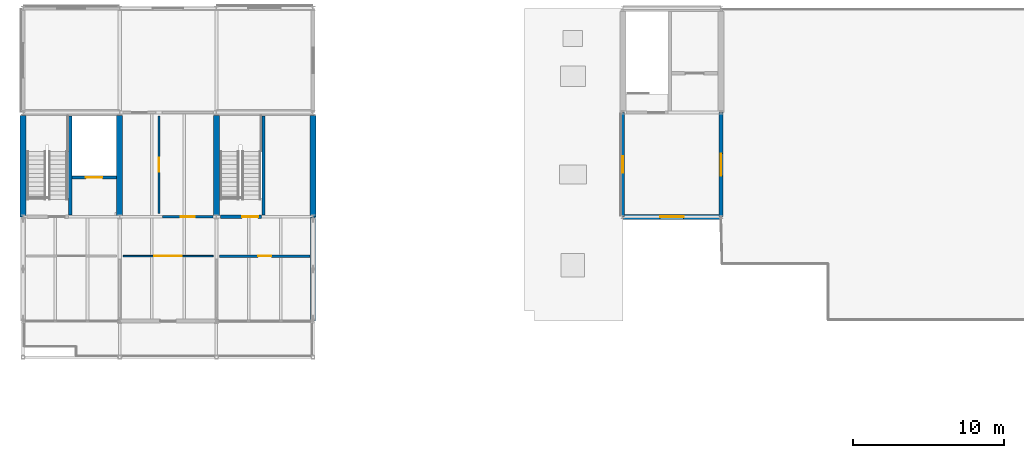
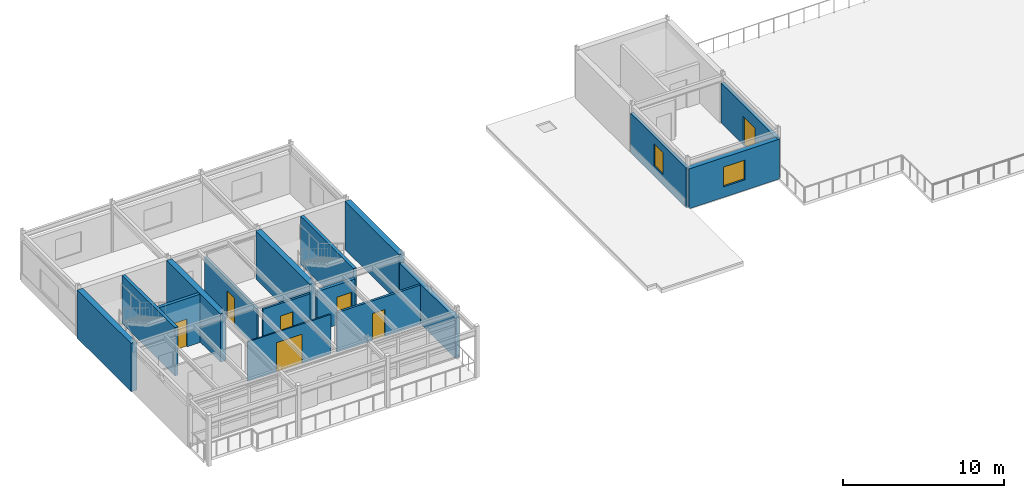
# One storey, part 19 of 26: 16 walls, 7 doors, 2 windows, 9 openings.
"""IFC4 building model written with IfcOpenShell, lengths in metres."""

from ifc_helpers import new_model, si_unit, direction, frame, frame_2d, origin, place, context, subcontext, project, spatial, rectangle, extrude, material, layer, layer_set, type_object, element, fill, save


model = new_model("IFC4")

# Units and contexts
model_context = context("Model", 3, precision=1e-05, world=origin(), true_north=direction((0.0, 1.0)))
body_context = subcontext(model_context, "Body", "Model", "MODEL_VIEW")
ifc_project = project(units=[si_unit("LENGTHUNIT", "METRE"), si_unit("AREAUNIT", "SQUARE_METRE"), si_unit("VOLUMEUNIT", "CUBIC_METRE"), si_unit("PLANEANGLEUNIT", "RADIAN"), si_unit("MASSUNIT", "GRAM", prefix="KILO")], contexts=[model_context])

# Site, building, storey
site_placement = place(None, origin())
site = spatial("IfcSite", under=ifc_project, at=site_placement, CompositionType="ELEMENT")
building_placement = place(site_placement, origin())
building = spatial("IfcBuilding", under=site, at=building_placement, Name="Trelmorton Wharf Fire Station", CompositionType="ELEMENT")
storey_placement = place(building_placement, frame((0.0, 0.0, 17.39990234375)))
storey = spatial("IfcBuildingStorey", under=building, at=storey_placement, Name="L04", CompositionType="ELEMENT", Elevation=17.39990234375)

# Wall, opening, window
ifc_material_1 = material(Name="Precast concrete 45 MPa", Category="concrete")
ifc_layer_1 = layer(ifc_material_1, 0.22998046875)
ifc_layer_set_1 = layer_set([ifc_layer_1], Name="Precast concrete 45 MPa")
wall_type_1 = type_object("IfcWallType", Name="EW_PREC_230", PredefinedType="SOLIDWALL", material=ifc_layer_set_1)
wall_1_placement = place(storey_placement, frame((110.5, 67.205078125, 0.0), z_axis=(0.0, 0.0, 1.0), x_axis=(0.0, 1.0, 0.0)))
wall_1 = element("IfcWall", 1, at=wall_1_placement, inside=storey, type_object=wall_type_1, Name="EW-V4-L04-0246", PredefinedType="SOLIDWALL", context=body_context, shape_type="SweptSolid", body=[
    extrude(rectangle(XDim=6.889892578125, YDim=0.22998046875, at=frame_2d((3.44482421875, 0.0))), origin(), (0.0, 0.0, 1.0), 3.02001953125),
])
opening_1_placement = place(wall_1_placement, frame((2.89501953125, 0.0, 0.800048828125)))
opening_1 = element("IfcOpeningElement", 2, at=opening_1_placement, cuts=wall_1, Name="Opening W37", PredefinedType="OPENING", context=body_context, shape_type="SweptSolid", body=[
    extrude(rectangle(XDim=1.10009765625, YDim=1.64990234375, at=frame_2d((0.550048828125, 0.824951171875))), frame((0.0, 0.125, 0.0), z_axis=(0.0, -1.0, 0.0), x_axis=(1.0, 0.0, 0.0)), (0.0, 0.0, 1.0), 0.25),
])
ifc_material_2 = material(Name="Tempered low-E double glazing", Category="glass")
window_type_1 = type_object("IfcWindowType", Name="WIN_W37", PartitioningType="SINGLE_PANEL", PredefinedType="WINDOW", material=ifc_material_2)
window_1_placement = place(opening_1_placement, origin())
window_1 = element("IfcWindow", 3, at=window_1_placement, inside=storey, type_object=window_type_1, Name="WN-V4-L04-0144", OverallHeight=1.64990234375, OverallWidth=1.10009765625, PartitioningType="SINGLE_PANEL", PredefinedType="WINDOW", context=body_context, shape_type="SweptSolid", body=[
    extrude(rectangle(XDim=1.10009765625, YDim=1.64990234375, at=frame_2d((0.550048828125, 0.824951171875))), frame((0.0, 0.030029296875, 0.0), z_axis=(0.0, -1.0, 0.0), x_axis=(1.0, 0.0, 0.0)), (0.0, 0.0, 1.0), 0.06005859375),
])
fill(opening_1, window_1)

# Wall, opening, door
ifc_layer_2 = layer(ifc_material_1, 0.25)
ifc_layer_set_2 = layer_set([ifc_layer_2], Name="Precast concrete 45 MPa")
wall_type_2 = type_object("IfcWallType", Name="EW_PREC_250", PredefinedType="SOLIDWALL", material=ifc_layer_set_2)
wall_2_placement = place(storey_placement, frame((117.0, 74.094970703125, 0.0), z_axis=(0.0, 0.0, 1.0), x_axis=(0.0, -1.0, 0.0)))
wall_2 = element("IfcWall", 4, at=wall_2_placement, inside=storey, type_object=wall_type_2, Name="EW-V4-L04-0247", PredefinedType="SOLIDWALL", context=body_context, shape_type="SweptSolid", body=[
    extrude(rectangle(XDim=6.889892578125, YDim=0.25, at=frame_2d((3.44482421875, 0.0))), origin(), (0.0, 0.0, 1.0), 3.02001953125),
])
opening_2_placement = place(wall_2_placement, frame((2.705078125, 0.0, 0.0)))
opening_2 = element("IfcOpeningElement", 5, at=opening_2_placement, cuts=wall_2, Name="Opening TD-036", PredefinedType="OPENING", context=body_context, shape_type="SweptSolid", body=[
    extrude(rectangle(XDim=1.47998046875, YDim=2.159912109375, at=frame_2d((0.739990234375, 1.080078125))), frame((0.0, 0.135009765625, 0.0), z_axis=(0.0, -1.0, 0.0), x_axis=(1.0, 0.0, 0.0)), (0.0, 0.0, 1.0), 0.27001953125),
])
ifc_material_3 = material(Name="Anodised aluminium AW-6063", Category="aluminium")
door_type_1 = type_object("IfcDoorType", Name="DR_TER_DBL_148", OperationType="DOUBLE_DOOR_SINGLE_SWING", PredefinedType="DOOR", material=ifc_material_3)
door_1_placement = place(opening_2_placement, origin())
door_1 = element("IfcDoor", 6, at=door_1_placement, inside=storey, type_object=door_type_1, Name="Terrace Door TD-036", OperationType="DOUBLE_DOOR_SINGLE_SWING", OverallHeight=2.159912109375, OverallWidth=1.47998046875, PredefinedType="DOOR", context=body_context, shape_type="SweptSolid", body=[
    extrude(rectangle(XDim=1.47998046875, YDim=2.159912109375, at=frame_2d((0.739990234375, 1.080078125))), frame((0.0, 0.02490234375, 0.0), z_axis=(0.0, -1.0, 0.0), x_axis=(1.0, 0.0, 0.0)), (0.0, 0.0, 1.0), 0.050048828125),
])
fill(opening_2, door_1)

# Wall
ifc_layer_3 = layer(ifc_material_1, 0.330078125)
ifc_layer_set_3 = layer_set([ifc_layer_3], Name="Precast concrete 45 MPa")
wall_type_3 = type_object("IfcWallType", Name="EW_TERR_330", PredefinedType="SOLIDWALL", material=ifc_layer_set_3)
wall_3_placement = place(storey_placement, frame((90.0, 67.195068359375, 0.0), z_axis=(0.0, 0.0, 1.0), x_axis=(0.0, -1.0, 0.0)))
element("IfcWall", 7, at=wall_3_placement, inside=storey, type_object=wall_type_3, Name="EW-V2-L04-0191", PredefinedType="SOLIDWALL", context=body_context, shape_type="SweptSolid", body=[
    extrude(rectangle(XDim=6.89013671875, YDim=0.330078125, at=frame_2d((3.445068359375, 0.0))), origin(), (0.0, 0.0, 1.0), 3.02001953125),
])

# Wall, opening, window
wall_4_placement = place(storey_placement, frame((116.9951171875, 67.199951171875, 0.0), z_axis=(0.0, 0.0, 1.0), x_axis=(-1.0, 0.0, 0.0)))
wall_4 = element("IfcWall", 8, at=wall_4_placement, inside=storey, type_object=wall_type_3, Name="EW-V4-L04-0245", PredefinedType="SOLIDWALL", context=body_context, shape_type="SweptSolid", body=[
    extrude(rectangle(XDim=6.490234375, YDim=0.330078125, at=frame_2d((3.2451171875, 0.0))), origin(), (0.0, 0.0, 1.0), 3.02001953125),
])
opening_3_placement = place(wall_4_placement, frame((2.469970703125, 0.0, 0.800048828125)))
opening_3 = element("IfcOpeningElement", 9, at=opening_3_placement, cuts=wall_4, Name="Opening W36", PredefinedType="OPENING", context=body_context, shape_type="SweptSolid", body=[
    extrude(rectangle(XDim=1.550048828125, YDim=1.5, at=frame_2d((0.77490234375, 0.75))), frame((0.0, 0.175048828125, 0.0), z_axis=(0.0, -1.0, 0.0), x_axis=(1.0, 0.0, 0.0)), (0.0, 0.0, 1.0), 0.35009765625),
])
window_type_2 = type_object("IfcWindowType", Name="WIN_W36", PartitioningType="SINGLE_PANEL", PredefinedType="WINDOW", material=ifc_material_2)
window_2_placement = place(opening_3_placement, origin())
window_2 = element("IfcWindow", 10, at=window_2_placement, inside=storey, type_object=window_type_2, Name="WN-V4-L04-0143", OverallHeight=1.5, OverallWidth=1.550048828125, PartitioningType="SINGLE_PANEL", PredefinedType="WINDOW", context=body_context, shape_type="SweptSolid", body=[
    extrude(rectangle(XDim=1.550048828125, YDim=1.5, at=frame_2d((0.77490234375, 0.75))), frame((0.0, 0.030029296875, 0.0), z_axis=(0.0, -1.0, 0.0), x_axis=(1.0, 0.0, 0.0)), (0.0, 0.0, 1.0), 0.06005859375),
])
fill(opening_3, window_2)

# Wall, opening, door
ifc_material_4 = material(Name="Gypsum plasterboard partition")
ifc_layer_4 = layer(ifc_material_4, 0.14990234375)
ifc_layer_set_4 = layer_set([ifc_layer_4], Name="Gypsum plasterboard partition")
wall_type_4 = type_object("IfcWallType", Name="IW_ACOU_150", PredefinedType="PARTITIONING", material=ifc_layer_set_4)
wall_5_placement = place(storey_placement, frame((80.02001953125, 67.199951171875, 0.0), z_axis=(0.0, 0.0, 1.0), x_axis=(1.0, 0.0, 0.0)))
wall_5 = element("IfcWall", 11, at=wall_5_placement, inside=storey, type_object=wall_type_4, Name="IW-L04-0240", PredefinedType="PARTITIONING", context=body_context, shape_type="SweptSolid", body=[
    extrude(rectangle(XDim=3.35986328125, YDim=0.14990234375, at=frame_2d((1.679931640625, 0.0))), origin(), (0.0, 0.0, 1.0), 3.0),
])
opening_4_placement = place(wall_5_placement, frame((1.22509765625, 0.0, 0.0)))
opening_4 = element("IfcOpeningElement", 12, at=opening_4_placement, cuts=wall_5, Name="Opening D-162", PredefinedType="OPENING", context=body_context, shape_type="SweptSolid", body=[
    extrude(rectangle(XDim=0.909912109375, YDim=2.06005859375, at=frame_2d((0.455078125, 1.030029296875))), frame((0.0, 0.0849609375, 0.0), z_axis=(0.0, -1.0, 0.0), x_axis=(1.0, 0.0, 0.0)), (0.0, 0.0, 1.0), 0.169921875),
])
ifc_material_5 = material(Name="Acoustic timber panelling", Category="wood")
door_type_2 = type_object("IfcDoorType", Name="DR_INT_091", OperationType="NOTDEFINED", PredefinedType="DOOR", material=ifc_material_5)
door_2_placement = place(opening_4_placement, origin())
door_2 = element("IfcDoor", 13, at=door_2_placement, inside=storey, type_object=door_type_2, Name="Interior Door D-162", OperationType="SINGLE_SWING_RIGHT", OverallHeight=2.06005859375, OverallWidth=0.909912109375, PredefinedType="DOOR", context=body_context, shape_type="SweptSolid", body=[
    extrude(rectangle(XDim=0.909912109375, YDim=2.06005859375, at=frame_2d((0.455078125, 1.030029296875))), frame((0.0, 0.02490234375, 0.0), z_axis=(0.0, -1.0, 0.0), x_axis=(1.0, 0.0, 0.0)), (0.0, 0.0, 1.0), 0.050048828125),
])
fill(opening_4, door_2)

ifc_layer_5 = layer(ifc_material_4, 0.159912109375)
ifc_layer_set_5 = layer_set([ifc_layer_5], Name="Gypsum plasterboard partition")
wall_type_5 = type_object("IfcWallType", Name="IW_ACOU_160", PredefinedType="PARTITIONING", material=ifc_layer_set_5)
wall_6_placement = place(storey_placement, frame((83.820068359375, 64.60009765625, 0.0), z_axis=(0.0, 0.0, 1.0), x_axis=(1.0, 0.0, 0.0)))
wall_6 = element("IfcWall", 14, at=wall_6_placement, inside=storey, type_object=wall_type_5, Name="IW-L04-0239", PredefinedType="PARTITIONING", context=body_context, shape_type="SweptSolid", body=[
    extrude(rectangle(XDim=5.9599609375, YDim=0.159912109375, at=frame_2d((2.97998046875, 0.0))), origin(), (0.0, 0.0, 1.0), 3.0),
])
opening_5_placement = place(wall_6_placement, frame((2.5400390625, 0.0, 0.0)))
opening_5 = element("IfcOpeningElement", 15, at=opening_5_placement, cuts=wall_6, Name="Opening D-161", PredefinedType="OPENING", context=body_context, shape_type="SweptSolid", body=[
    extrude(rectangle(XDim=0.8798828125, YDim=2.0400390625, at=frame_2d((0.43994140625, 1.02001953125))), frame((0.0, 0.08984375, 0.0), z_axis=(0.0, -1.0, 0.0), x_axis=(1.0, 0.0, 0.0)), (0.0, 0.0, 1.0), 0.179931640625),
])
door_type_3 = type_object("IfcDoorType", Name="DR_INT_088", OperationType="NOTDEFINED", PredefinedType="DOOR", material=ifc_material_5)
door_3_placement = place(opening_5_placement, origin())
door_3 = element("IfcDoor", 16, at=door_3_placement, inside=storey, type_object=door_type_3, Name="Interior Door D-161", OperationType="SINGLE_SWING_LEFT", OverallHeight=2.0400390625, OverallWidth=0.8798828125, PredefinedType="DOOR", context=body_context, shape_type="SweptSolid", body=[
    extrude(rectangle(XDim=0.8798828125, YDim=2.0400390625, at=frame_2d((0.43994140625, 1.02001953125))), frame((0.0, 0.02490234375, 0.0), z_axis=(0.0, -1.0, 0.0), x_axis=(1.0, 0.0, 0.0)), (0.0, 0.0, 1.0), 0.050048828125),
])
fill(opening_5, door_3)

# Wall
ifc_material_6 = material(Name="Concrete 40 MPa", Category="concrete")
ifc_layer_6 = layer(ifc_material_6, 0.219970703125)
ifc_layer_set_6 = layer_set([ifc_layer_6], Name="Concrete 40 MPa")
wall_type_6 = type_object("IfcWallType", Name="IW_CORE_220", PredefinedType="SOLIDWALL", material=ifc_layer_set_6)
wall_7_placement = place(storey_placement, frame((73.919921875, 67.320068359375, 0.0), z_axis=(0.0, 0.0, 1.0), x_axis=(0.0, 1.0, 0.0)))
element("IfcWall", 17, at=wall_7_placement, inside=storey, type_object=wall_type_6, Name="IW-C6-DIV-L04", PredefinedType="SOLIDWALL", context=body_context, shape_type="SweptSolid", body=[
    extrude(rectangle(XDim=6.554931640625, YDim=0.219970703125, at=frame_2d((3.27734375, 0.0))), origin(), (0.0, 0.0, 1.0), 3.66015625),
])

# Wall, opening, door
wall_8_placement = place(storey_placement, frame((74.0400390625, 69.800048828125, 0.0), z_axis=(0.0, 0.0, 1.0), x_axis=(1.0, 0.0, 0.0)))
wall_8 = element("IfcWall", 18, at=wall_8_placement, inside=storey, type_object=wall_type_6, Name="IW-C6-LSH-L04", PredefinedType="SOLIDWALL", context=body_context, shape_type="SweptSolid", body=[
    extrude(rectangle(XDim=2.93505859375, YDim=0.219970703125, at=frame_2d((1.467529296875, 0.0))), origin(), (0.0, 0.0, 1.0), 3.66015625),
])
opening_6_placement = place(wall_8_placement, frame((0.91748046875, 0.0, 0.0)))
opening_6 = element("IfcOpeningElement", 19, at=opening_6_placement, cuts=wall_8, Name="Opening LD-030", PredefinedType="OPENING", context=body_context, shape_type="SweptSolid", body=[
    extrude(rectangle(XDim=1.10009765625, YDim=2.10009765625, at=frame_2d((0.550048828125, 1.050048828125))), frame((0.0, 0.1201171875, 0.0), z_axis=(0.0, -1.0, 0.0), x_axis=(1.0, 0.0, 0.0)), (0.0, 0.0, 1.0), 0.239990234375),
])
ifc_material_7 = material(Name="Stainless steel 316 marine grade", Category="steel")
door_type_4 = type_object("IfcDoorType", Name="DR_LIFT_110", OperationType="DOUBLE_DOOR_SLIDING", PredefinedType="DOOR", material=ifc_material_7)
door_4_placement = place(opening_6_placement, origin())
door_4 = element("IfcDoor", 20, at=door_4_placement, inside=storey, type_object=door_type_4, Name="Lift Landing Door LD-030", OperationType="DOUBLE_DOOR_SLIDING", OverallHeight=2.10009765625, OverallWidth=1.10009765625, PredefinedType="DOOR", context=body_context, shape_type="SweptSolid", body=[
    extrude(rectangle(XDim=1.10009765625, YDim=2.10009765625, at=frame_2d((0.550048828125, 1.050048828125))), frame((0.0, 0.02490234375, 0.0), z_axis=(0.0, -1.0, 0.0), x_axis=(1.0, 0.0, 0.0)), (0.0, 0.0, 1.0), 0.050048828125),
])
fill(opening_6, door_4)

# Wall
wall_9_placement = place(storey_placement, frame((86.719970703125, 67.320068359375, 0.0), z_axis=(0.0, 0.0, 1.0), x_axis=(0.0, 1.0, 0.0)))
element("IfcWall", 21, at=wall_9_placement, inside=storey, type_object=wall_type_6, Name="IW-C6B-DIV-L04", PredefinedType="SOLIDWALL", context=body_context, shape_type="SweptSolid", body=[
    extrude(rectangle(XDim=6.554931640625, YDim=0.219970703125, at=frame_2d((3.27734375, 0.0))), origin(), (0.0, 0.0, 1.0), 3.66015625),
])

# Wall, opening, door
wall_10_placement = place(storey_placement, frame((83.860107421875, 67.199951171875, 0.0), z_axis=(0.0, 0.0, 1.0), x_axis=(1.0, 0.0, 0.0)))
wall_10 = element("IfcWall", 22, at=wall_10_placement, inside=storey, type_object=wall_type_6, Name="IW-C6B-SF-L04", PredefinedType="SOLIDWALL", context=body_context, shape_type="SweptSolid", body=[
    extrude(rectangle(XDim=2.739990234375, YDim=0.219970703125, at=frame_2d((1.3701171875, 0.0))), origin(), (0.0, 0.0, 1.0), 3.02001953125),
])
opening_7_placement = place(wall_10_placement, frame((1.43994140625, 0.0, 0.0)))
opening_7 = element("IfcOpeningElement", 23, at=opening_7_placement, cuts=wall_10, Name="Opening FD-039", PredefinedType="OPENING", context=body_context, shape_type="SweptSolid", body=[
    extrude(rectangle(XDim=1.06005859375, YDim=2.10009765625, at=frame_2d((0.530029296875, 1.050048828125))), frame((0.0, 0.1201171875, 0.0), z_axis=(0.0, -1.0, 0.0), x_axis=(1.0, 0.0, 0.0)), (0.0, 0.0, 1.0), 0.239990234375),
])
door_type_5 = type_object("IfcDoorType", Name="DR_FIRE_106", OperationType="NOTDEFINED", PredefinedType="DOOR", material=ifc_material_7)
door_5_placement = place(opening_7_placement, origin())
door_5 = element("IfcDoor", 24, at=door_5_placement, inside=storey, type_object=door_type_5, Name="Stair Fire Door FD-039", OperationType="SINGLE_SWING_LEFT", OverallHeight=2.10009765625, OverallWidth=1.06005859375, PredefinedType="DOOR", context=body_context, shape_type="SweptSolid", body=[
    extrude(rectangle(XDim=1.06005859375, YDim=2.10009765625, at=frame_2d((0.530029296875, 1.050048828125))), frame((0.0, 0.02490234375, 0.0), z_axis=(0.0, -1.0, 0.0), x_axis=(1.0, 0.0, 0.0)), (0.0, 0.0, 1.0), 0.050048828125),
])
fill(opening_7, door_5)

ifc_layer_7 = layer(ifc_material_4, 0.10009765625)
ifc_layer_set_7 = layer_set([ifc_layer_7], Name="Gypsum plasterboard partition")
wall_type_7 = type_object("IfcWallType", Name="IW_PART_100", PredefinedType="PARTITIONING", material=ifc_layer_set_7)
wall_11_placement = place(storey_placement, frame((77.419921875, 64.60009765625, 0.0), z_axis=(0.0, 0.0, 1.0), x_axis=(1.0, 0.0, 0.0)))
wall_11 = element("IfcWall", 25, at=wall_11_placement, inside=storey, type_object=wall_type_7, Name="IW-L04-0238", PredefinedType="PARTITIONING", context=body_context, shape_type="SweptSolid", body=[
    extrude(rectangle(XDim=5.9599609375, YDim=0.10009765625, at=frame_2d((2.97998046875, 0.0))), origin(), (0.0, 0.0, 1.0), 3.0),
])
opening_8_placement = place(wall_11_placement, frame((2.06005859375, 0.0, 0.0)))
opening_8 = element("IfcOpeningElement", 26, at=opening_8_placement, cuts=wall_11, Name="Opening D-160", PredefinedType="OPENING", context=body_context, shape_type="SweptSolid", body=[
    extrude(rectangle(XDim=1.840087890625, YDim=2.219970703125, at=frame_2d((0.919921875, 1.10986328125))), frame((0.0, 0.06005859375, 0.0), z_axis=(0.0, -1.0, 0.0), x_axis=(1.0, 0.0, 0.0)), (0.0, 0.0, 1.0), 0.1201171875),
])
door_type_6 = type_object("IfcDoorType", Name="DR_INT_184", OperationType="DOUBLE_DOOR_SINGLE_SWING", PredefinedType="DOOR", material=ifc_material_5)
door_6_placement = place(opening_8_placement, origin())
door_6 = element("IfcDoor", 27, at=door_6_placement, inside=storey, type_object=door_type_6, Name="Interior Door D-160", OperationType="DOUBLE_DOOR_SINGLE_SWING", OverallHeight=2.219970703125, OverallWidth=1.840087890625, PredefinedType="DOOR", context=body_context, shape_type="SweptSolid", body=[
    extrude(rectangle(XDim=1.840087890625, YDim=2.219970703125, at=frame_2d((0.919921875, 1.10986328125))), frame((0.0, 0.02490234375, 0.0), z_axis=(0.0, -1.0, 0.0), x_axis=(1.0, 0.0, 0.0)), (0.0, 0.0, 1.0), 0.050048828125),
])
fill(opening_8, door_6)

ifc_layer_8 = layer(ifc_material_4, 0.139892578125)
ifc_layer_set_8 = layer_set([ifc_layer_8], Name="Gypsum plasterboard partition")
wall_type_8 = type_object("IfcWallType", Name="IW_PART_140", PredefinedType="PARTITIONING", material=ifc_layer_set_8)
wall_12_placement = place(storey_placement, frame((79.800048828125, 67.419921875, 0.0), z_axis=(0.0, 0.0, 1.0), x_axis=(0.0, 1.0, 0.0)))
wall_12 = element("IfcWall", 28, at=wall_12_placement, inside=storey, type_object=wall_type_8, Name="IW-L04-0241", PredefinedType="PARTITIONING", context=body_context, shape_type="SweptSolid", body=[
    extrude(rectangle(XDim=6.4599609375, YDim=0.139892578125, at=frame_2d((3.22998046875, 0.0))), origin(), (0.0, 0.0, 1.0), 3.0),
])
opening_9_placement = place(wall_12_placement, frame((2.760009765625, 0.0, 0.0)))
opening_9 = element("IfcOpeningElement", 29, at=opening_9_placement, cuts=wall_12, Name="Opening D-163", PredefinedType="OPENING", context=body_context, shape_type="SweptSolid", body=[
    extrude(rectangle(XDim=0.93994140625, YDim=2.080078125, at=frame_2d((0.469970703125, 1.0400390625))), frame((0.0, 0.080078125, 0.0), z_axis=(0.0, -1.0, 0.0), x_axis=(1.0, 0.0, 0.0)), (0.0, 0.0, 1.0), 0.159912109375),
])
door_type_7 = type_object("IfcDoorType", Name="DR_INT_094", OperationType="NOTDEFINED", PredefinedType="DOOR", material=ifc_material_5)
door_7_placement = place(opening_9_placement, origin())
door_7 = element("IfcDoor", 30, at=door_7_placement, inside=storey, type_object=door_type_7, Name="Interior Door D-163", OperationType="SINGLE_SWING_LEFT", OverallHeight=2.080078125, OverallWidth=0.93994140625, PredefinedType="DOOR", context=body_context, shape_type="SweptSolid", body=[
    extrude(rectangle(XDim=0.93994140625, YDim=2.080078125, at=frame_2d((0.469970703125, 1.0400390625))), frame((0.0, 0.02490234375, 0.0), z_axis=(0.0, -1.0, 0.0), x_axis=(1.0, 0.0, 0.0)), (0.0, 0.0, 1.0), 0.050048828125),
])
fill(opening_9, door_7)

# Walls
ifc_material_8 = material(Name="Concrete 50 MPa", Category="concrete")
ifc_layer_9 = layer(ifc_material_8, 0.39990234375)
ifc_layer_set_9 = layer_set([ifc_layer_9], Name="Concrete 50 MPa")
wall_type_9 = type_object("IfcWallType", Name="WL_CORE_400", PredefinedType="SHEAR", material=ifc_layer_set_9)
for number, where, z_axis, x_axis, name in (
    (31, (70.800048828125, 67.199951171875, 0.0), (0.0, 0.0, 1.0), (0.0, 1.0, 0.0), "WL-SW-C6-L04-095"),
    (32, (77.199951171875, 67.199951171875, 0.0), (0.0, 0.0, 1.0), (0.0, 1.0, 0.0), "WL-SW-C6-L04-096"),
    (33, (83.60009765625, 67.199951171875, 0.0), (0.0, 0.0, 1.0), (0.0, 1.0, 0.0), "WL-SW-C6B-L04-116"),
    (34, (90.0, 67.199951171875, 0.0), (0.0, 0.0, 1.0), (0.0, 1.0, 0.0), "WL-SW-C6B-L04-117"),
):
    element("IfcWall", number, at=place(storey_placement, frame(where, z_axis=z_axis, x_axis=x_axis)), inside=storey, type_object=wall_type_9, Name=name, PredefinedType="SHEAR", context=body_context, shape_type="SweptSolid", body=[
        extrude(rectangle(XDim=6.699951171875, YDim=0.39990234375, at=frame_2d((3.35009765625, 0.0))), origin(), (0.0, 0.0, 1.0), 3.66015625),
    ])

save(model, "model.ifc")
